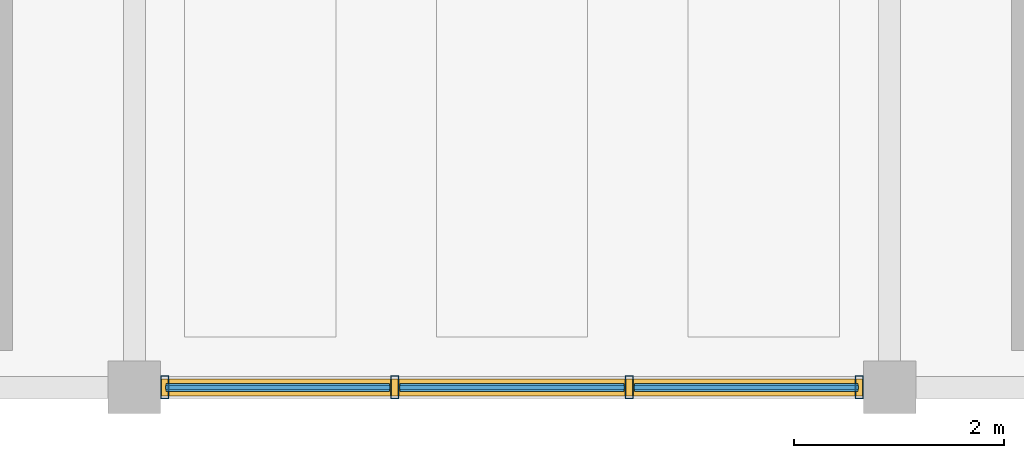
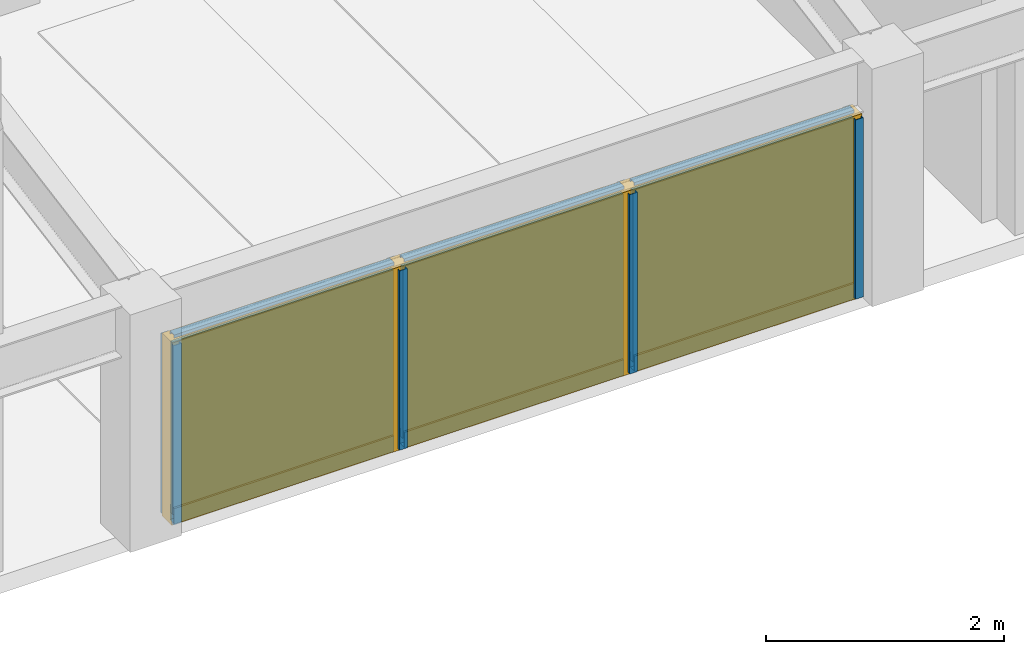
# One storey, part 6 of 16: 10 members, 3 plates, 1 curtain wall.
"""IFC4 building model written with IfcOpenShell, lengths in metres."""

from ifc_helpers import new_model, si_unit, direction, frame, origin, origin_2d, place, context, subcontext, project, spatial, rectangle, hollow_rectangle, extrude, material, layer, layer_set, material_profile, profile_set, type_object, element, aggregate, save


model = new_model("IFC4")

# Units and contexts
model_context = context("Model", 3, precision=1e-05, world=origin(), true_north=direction((0.0, 1.0)))
body_context = subcontext(model_context, "Body", "Model", "MODEL_VIEW")
ifc_project = project(units=[si_unit("LENGTHUNIT", "METRE"), si_unit("AREAUNIT", "SQUARE_METRE"), si_unit("VOLUMEUNIT", "CUBIC_METRE"), si_unit("PLANEANGLEUNIT", "RADIAN"), si_unit("MASSUNIT", "GRAM", prefix="KILO")], contexts=[model_context])

# Member
ifc_material_1 = material(Name="Anodized Aluminium 6063-T6", Category="aluminium")
ifc_material_profile_1 = material_profile(ifc_material_1, hollow_rectangle(XDim=0.074951171875, YDim=0.219970703125, WallThickness=0.0048828125, at=origin_2d()), Name="ALU 75x220x5")
ifc_profile_set_1 = profile_set([ifc_material_profile_1], Name="Anodized Aluminium 6063-T6")
member_type_1 = type_object("IfcMemberType", Name="CWM-75X180", PredefinedType="MULLION", material=ifc_profile_set_1)
site_placement = place(None, origin())
building_placement = place(site_placement, origin())
storey_placement = place(building_placement, frame((0.0, 0.0, 25.800048828125)))
member_1_placement = place(storey_placement, frame((64.510009765625, 79.199951171875, 0.02001953125), z_axis=(0.0, 0.0, 1.0), x_axis=(1.0, 0.0, 0.0)))
member_1 = element("IfcMember", 1, at=member_1_placement, type_object=member_type_1, Name="Curtain wall mullion CW-L07-08-11-S-00", PredefinedType="MULLION", context=body_context, shape_type="SweptSolid", body=[
    extrude(hollow_rectangle(XDim=0.074951171875, YDim=0.219970703125, WallThickness=0.0048828125, at=origin_2d()), origin(), (0.0, 0.0, 1.0), 1.83984375),
])

member_2_placement = place(storey_placement, frame((62.316650390625, 79.199951171875, 0.02001953125), z_axis=(0.0, 0.0, 1.0), x_axis=(1.0, 0.0, 0.0)))
member_2 = element("IfcMember", 2, at=member_2_placement, type_object=member_type_1, Name="Curtain wall mullion CW-L07-08-11-S-01", PredefinedType="MULLION", context=body_context, shape_type="SweptSolid", body=[
    extrude(hollow_rectangle(XDim=0.074951171875, YDim=0.219970703125, WallThickness=0.0048828125, at=origin_2d()), origin(), (0.0, 0.0, 1.0), 1.83984375),
])

member_3_placement = place(storey_placement, frame((60.083251953125, 79.199951171875, 0.02001953125), z_axis=(0.0, 0.0, 1.0), x_axis=(1.0, 0.0, 0.0)))
member_3 = element("IfcMember", 3, at=member_3_placement, type_object=member_type_1, Name="Curtain wall mullion CW-L07-08-11-S-02", PredefinedType="MULLION", context=body_context, shape_type="SweptSolid", body=[
    extrude(hollow_rectangle(XDim=0.074951171875, YDim=0.219970703125, WallThickness=0.0048828125, at=origin_2d()), origin(), (0.0, 0.0, 1.0), 1.83984375),
])

member_4_placement = place(storey_placement, frame((57.889892578125, 79.199951171875, 0.02001953125), z_axis=(0.0, 0.0, 1.0), x_axis=(1.0, 0.0, 0.0)))
member_4 = element("IfcMember", 4, at=member_4_placement, type_object=member_type_1, Name="Curtain wall mullion CW-L07-08-11-S-03", PredefinedType="MULLION", context=body_context, shape_type="SweptSolid", body=[
    extrude(hollow_rectangle(XDim=0.074951171875, YDim=0.219970703125, WallThickness=0.0048828125, at=origin_2d()), origin(), (0.0, 0.0, 1.0), 1.83984375),
])

ifc_material_profile_2 = material_profile(ifc_material_1, hollow_rectangle(XDim=0.074951171875, YDim=0.159912109375, WallThickness=0.00390625, at=origin_2d()), Name="ALU 75x160x4")
ifc_profile_set_2 = profile_set([ifc_material_profile_2], Name="Anodized Aluminium 6063-T6")
member_type_2 = type_object("IfcMemberType", Name="CWT-75X150", PredefinedType="USERDEFINED", material=ifc_profile_set_2)
member_5_placement = place(storey_placement, frame((64.5, 79.199951171875, 0.050048828125), z_axis=(-1.0, 0.0, 0.0), x_axis=(0.0, -1.0, 0.0)))
member_5 = element("IfcMember", 5, at=member_5_placement, type_object=member_type_2, Name="Curtain wall transom CW-L07-08-11-S-1.01", ObjectType="TRANSOM", PredefinedType="USERDEFINED", context=body_context, shape_type="SweptSolid", body=[
    extrude(hollow_rectangle(XDim=0.074951171875, YDim=0.159912109375, WallThickness=0.00390625, at=origin_2d()), origin(), (0.0, 0.0, 1.0), 2.13330078125),
])

member_6_placement = place(storey_placement, frame((62.2666015625, 79.199951171875, 0.050048828125), z_axis=(-1.0, 0.0, 0.0), x_axis=(0.0, -1.0, 0.0)))
member_6 = element("IfcMember", 6, at=member_6_placement, type_object=member_type_2, Name="Curtain wall transom CW-L07-08-11-S-1.02", ObjectType="TRANSOM", PredefinedType="USERDEFINED", context=body_context, shape_type="SweptSolid", body=[
    extrude(hollow_rectangle(XDim=0.074951171875, YDim=0.159912109375, WallThickness=0.00390625, at=origin_2d()), origin(), (0.0, 0.0, 1.0), 2.13330078125),
])

member_7_placement = place(storey_placement, frame((60.033203125, 79.199951171875, 0.050048828125), z_axis=(-1.0, 0.0, 0.0), x_axis=(0.0, -1.0, 0.0)))
member_7 = element("IfcMember", 7, at=member_7_placement, type_object=member_type_2, Name="Curtain wall transom CW-L07-08-11-S-1.03", ObjectType="TRANSOM", PredefinedType="USERDEFINED", context=body_context, shape_type="SweptSolid", body=[
    extrude(hollow_rectangle(XDim=0.074951171875, YDim=0.159912109375, WallThickness=0.00390625, at=origin_2d()), origin(), (0.0, 0.0, 1.0), 2.13330078125),
])

member_8_placement = place(storey_placement, frame((64.5, 79.199951171875, 1.829833984375), z_axis=(-1.0, 0.0, 0.0), x_axis=(0.0, -1.0, 0.0)))
member_8 = element("IfcMember", 8, at=member_8_placement, type_object=member_type_2, Name="Curtain wall transom CW-L07-08-11-S-2.01", ObjectType="TRANSOM", PredefinedType="USERDEFINED", context=body_context, shape_type="SweptSolid", body=[
    extrude(hollow_rectangle(XDim=0.074951171875, YDim=0.159912109375, WallThickness=0.00390625, at=origin_2d()), origin(), (0.0, 0.0, 1.0), 2.13330078125),
])

member_9_placement = place(storey_placement, frame((62.2666015625, 79.199951171875, 1.829833984375), z_axis=(-1.0, 0.0, 0.0), x_axis=(0.0, -1.0, 0.0)))
member_9 = element("IfcMember", 9, at=member_9_placement, type_object=member_type_2, Name="Curtain wall transom CW-L07-08-11-S-2.02", ObjectType="TRANSOM", PredefinedType="USERDEFINED", context=body_context, shape_type="SweptSolid", body=[
    extrude(hollow_rectangle(XDim=0.074951171875, YDim=0.159912109375, WallThickness=0.00390625, at=origin_2d()), origin(), (0.0, 0.0, 1.0), 2.13330078125),
])

member_10_placement = place(storey_placement, frame((60.033203125, 79.199951171875, 1.829833984375), z_axis=(-1.0, 0.0, 0.0), x_axis=(0.0, -1.0, 0.0)))
member_10 = element("IfcMember", 10, at=member_10_placement, type_object=member_type_2, Name="Curtain wall transom CW-L07-08-11-S-2.03", ObjectType="TRANSOM", PredefinedType="USERDEFINED", context=body_context, shape_type="SweptSolid", body=[
    extrude(hollow_rectangle(XDim=0.074951171875, YDim=0.159912109375, WallThickness=0.00390625, at=origin_2d()), origin(), (0.0, 0.0, 1.0), 2.13330078125),
])

# Plate
ifc_material_2 = material(Name="Acoustic Laminated Low-E Glazing", Category="glass")
ifc_layer = layer(ifc_material_2, 0.0439453125)
ifc_layer_set = layer_set([ifc_layer], Name="Acoustic Laminated Low-E Glazing")
plate_type = type_object("IfcPlateType", Name="CWP-IGU-44", PredefinedType="CURTAIN_PANEL", material=ifc_layer_set)
plate_1_placement = place(storey_placement, frame((63.433349609375, 79.199951171875, 0.06005859375), z_axis=(0.0, 0.0, 1.0), x_axis=(-1.0, 0.0, 0.0)))
plate_1 = element("IfcPlate", 11, at=plate_1_placement, type_object=plate_type, Name="Curtain wall vision glazing CW-L07-08-11-S-01", PredefinedType="CURTAIN_PANEL", context=body_context, shape_type="SweptSolid", body=[
    extrude(rectangle(XDim=2.143310546875, YDim=0.0400390625, at=origin_2d()), origin(), (0.0, 0.0, 1.0), 1.760009765625),
])

plate_2_placement = place(storey_placement, frame((61.199951171875, 79.199951171875, 0.06005859375), z_axis=(0.0, 0.0, 1.0), x_axis=(-1.0, 0.0, 0.0)))
plate_2 = element("IfcPlate", 12, at=plate_2_placement, type_object=plate_type, Name="Curtain wall vision glazing CW-L07-08-11-S-02", PredefinedType="CURTAIN_PANEL", context=body_context, shape_type="SweptSolid", body=[
    extrude(rectangle(XDim=2.143310546875, YDim=0.0400390625, at=origin_2d()), origin(), (0.0, 0.0, 1.0), 1.760009765625),
])

plate_3_placement = place(storey_placement, frame((58.966796875, 79.199951171875, 0.06005859375), z_axis=(0.0, 0.0, 1.0), x_axis=(-1.0, 0.0, 0.0)))
plate_3 = element("IfcPlate", 13, at=plate_3_placement, type_object=plate_type, Name="Curtain wall vision glazing CW-L07-08-11-S-03", PredefinedType="CURTAIN_PANEL", context=body_context, shape_type="SweptSolid", body=[
    extrude(rectangle(XDim=2.143310546875, YDim=0.0400390625, at=origin_2d()), origin(), (0.0, 0.0, 1.0), 1.760009765625),
])

# Site, building, storey
site = spatial("IfcSite", under=ifc_project, at=site_placement, CompositionType="ELEMENT")
building = spatial("IfcBuilding", under=site, at=building_placement, Name="Sillqori Civic Hall", CompositionType="ELEMENT")
storey = spatial("IfcBuildingStorey", under=building, at=storey_placement, Name="L07", CompositionType="ELEMENT", Elevation=25.800048828125)

# Curtain wall
ifc_material_3 = material(Name="Anodized Aluminium Curtain Wall System", Category="aluminium")
curtain_wall_type = type_object("IfcCurtainWallType", Name="CW-OB-340", PredefinedType="NOTDEFINED", material=ifc_material_3)
curtain_wall_placement = place(storey_placement, frame((61.199951171875, 79.199951171875, 0.0), z_axis=(0.0, 0.0, 1.0), x_axis=(-1.0, 0.0, 0.0)))
curtain_wall = element("IfcCurtainWall", 14, at=curtain_wall_placement, inside=storey, type_object=curtain_wall_type, Name="L07 unitised curtain wall CW-L07-08-11-S", PredefinedType="NOTDEFINED", context=body_context, shape_type="SweptSolid", body=[
    extrude(rectangle(XDim=6.699951171875, YDim=0.159912109375, at=origin_2d()), origin(), (0.0, 0.0, 1.0), 1.8798828125),
])

aggregate(curtain_wall, [member_1, member_2, member_3, member_4, member_5, member_6, member_7, member_8, member_9, member_10, plate_1, plate_2, plate_3])

save(model, "model.ifc")
